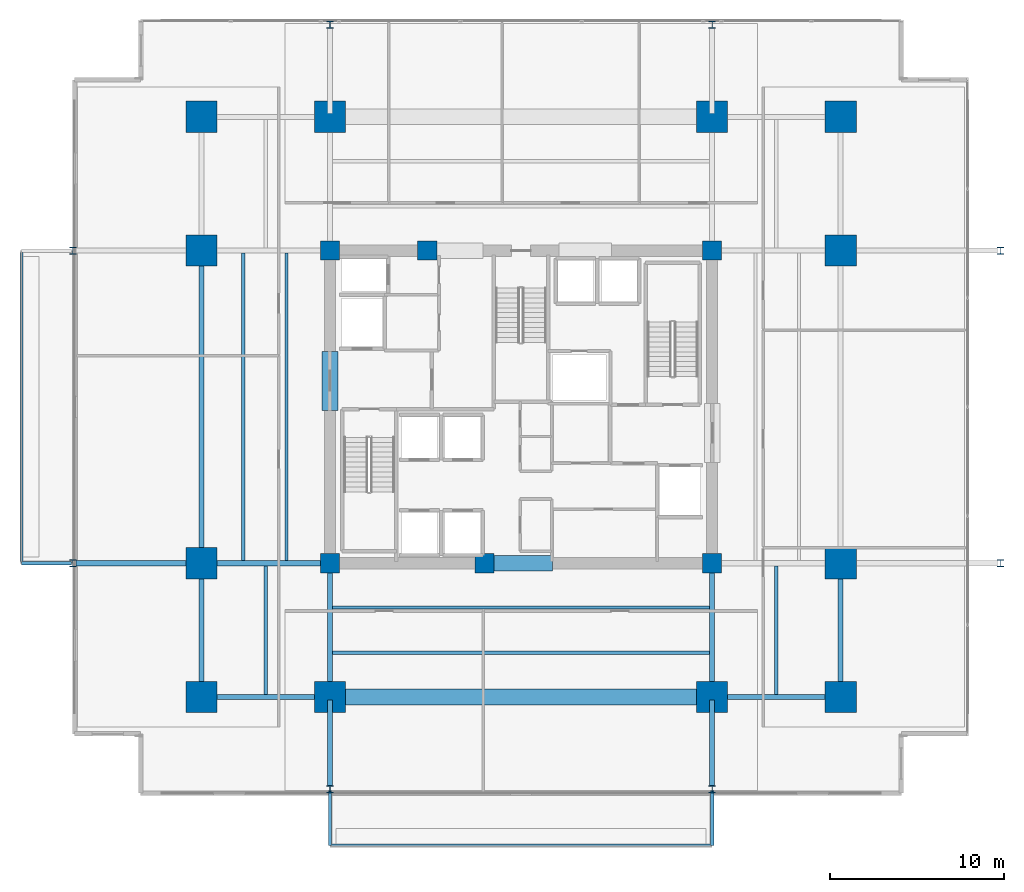
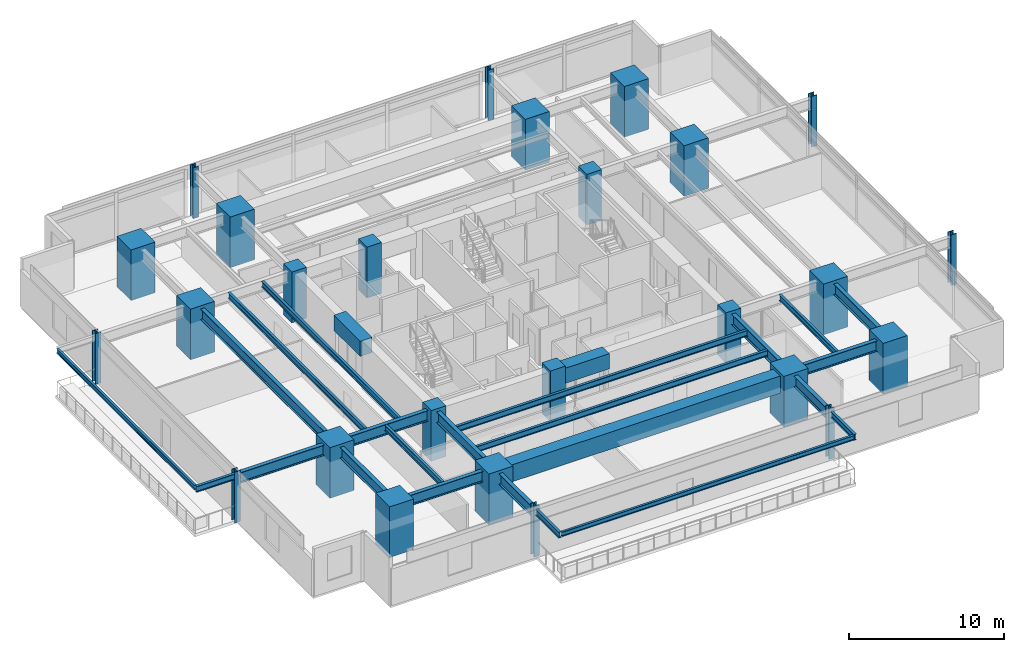
# One storey, part 1 of 23: 26 columns, 25 beams.
"""IFC4 building model written with IfcOpenShell, lengths in metres."""

from ifc_helpers import new_model, si_unit, direction, frame, origin, origin_2d, place, context, subcontext, project, spatial, rectangle, i_section, extrude, material, material_profile, profile_set, type_object, element, save


model = new_model("IFC4")

# Units and contexts
model_context = context("Model", 3, precision=1e-05, world=origin(), true_north=direction((0.0, 1.0)))
body_context = subcontext(model_context, "Body", "Model", "MODEL_VIEW")
ifc_project = project(units=[si_unit("LENGTHUNIT", "METRE"), si_unit("AREAUNIT", "SQUARE_METRE"), si_unit("VOLUMEUNIT", "CUBIC_METRE"), si_unit("PLANEANGLEUNIT", "RADIAN"), si_unit("MASSUNIT", "GRAM", prefix="KILO")], contexts=[model_context])

# Site, building, storey
site_placement = place(None, origin())
site = spatial("IfcSite", under=ifc_project, at=site_placement, CompositionType="ELEMENT")
building_placement = place(site_placement, origin())
building = spatial("IfcBuilding", under=site, at=building_placement, Name="Kovane Verandah Tower", CompositionType="ELEMENT")
storey_placement = place(building_placement, frame((0.0, 0.0, 55.60009765625)))
storey = spatial("IfcBuildingStorey", under=building, at=storey_placement, Name="L12", CompositionType="ELEMENT", Elevation=55.60009765625)

# Columns
ifc_material_1 = material(Name="Concrete C80/95", Category="concrete")
ifc_material_profile_1 = material_profile(ifc_material_1, rectangle(XDim=1.800048828125, YDim=1.800048828125, at=origin_2d()), Name="RC1800x1800")
ifc_profile_set_1 = profile_set([ifc_material_profile_1], Name="Concrete C80/95")
column_type_1 = type_object("IfcColumnType", Name="COL-RC1800", PredefinedType="COLUMN", material=ifc_profile_set_1)
for number, where, z_axis, x_axis, name in (
    (1, (29.0, 10.800048828125, 0.0), (0.0, 0.0, 1.0), (1.0, 0.0, 0.0), "L12 Tower Mega-Column MC-S1"),
    (2, (51.0, 10.800048828125, 0.0), (0.0, 0.0, 1.0), (1.0, 0.0, 0.0), "L12 Tower Mega-Column MC-S2"),
    (3, (29.0, 44.199951171875, 0.0), (0.0, 0.0, 1.0), (1.0, 0.0, 0.0), "L12 Tower Mega-Column MC-N1"),
    (4, (51.0, 44.199951171875, 0.0), (0.0, 0.0, 1.0), (1.0, 0.0, 0.0), "L12 Tower Mega-Column MC-N2"),
    (5, (21.60009765625, 18.5, 0.0), (0.0, 0.0, 1.0), (1.0, 0.0, 0.0), "L12 Tower Mega-Column MC-W1"),
    (6, (21.60009765625, 36.5, 0.0), (0.0, 0.0, 1.0), (1.0, 0.0, 0.0), "L12 Tower Mega-Column MC-W2"),
    (7, (58.39990234375, 18.5, 0.0), (0.0, 0.0, 1.0), (1.0, 0.0, 0.0), "L12 Tower Mega-Column MC-E1"),
    (8, (58.39990234375, 36.5, 0.0), (0.0, 0.0, 1.0), (1.0, 0.0, 0.0), "L12 Tower Mega-Column MC-E2"),
    (9, (21.60009765625, 10.800048828125, 0.0), (0.0, 0.0, 1.0), (1.0, 0.0, 0.0), "L12 Tower Mega-Column MC-SW"),
    (10, (58.39990234375, 10.800048828125, 0.0), (0.0, 0.0, 1.0), (1.0, 0.0, 0.0), "L12 Tower Mega-Column MC-SE"),
    (11, (21.60009765625, 44.199951171875, 0.0), (0.0, 0.0, 1.0), (1.0, 0.0, 0.0), "L12 Tower Mega-Column MC-NW"),
    (12, (58.39990234375, 44.199951171875, 0.0), (0.0, 0.0, 1.0), (1.0, 0.0, 0.0), "L12 Tower Mega-Column MC-NE"),
):
    element("IfcColumn", number, at=place(storey_placement, frame(where, z_axis=z_axis, x_axis=x_axis)), inside=storey, type_object=column_type_1, Name=name, PredefinedType="COLUMN", context=body_context, shape_type="SweptSolid", body=[
        extrude(rectangle(XDim=1.800048828125, YDim=1.800048828125, at=origin_2d()), origin(), (0.0, 0.0, 1.0), 4.0),
    ])
ifc_material_2 = material(Name="Steel S460", Category="steel")
ifc_material_profile_2 = material_profile(ifc_material_2, i_section(OverallWidth=0.412109375, OverallDepth=0.4365234375, WebThickness=0.035888671875, FlangeThickness=0.05810546875, FilletRadius=0.01513671875, at=origin_2d()), Name="UC356x406x467")
ifc_profile_set_2 = profile_set([ifc_material_profile_2], Name="Steel S460")
column_type_2 = type_object("IfcColumnType", Name="COL-UC467", PredefinedType="COLUMN", material=ifc_profile_set_2)
for number, where, z_axis, x_axis, name in (
    (13, (14.199951171875, 18.5, 0.0), (0.0, 0.0, 1.0), (1.0, 0.0, 0.0), "L12 Verandah Perimeter Column VC-W1"),
    (14, (14.199951171875, 36.5, 0.0), (0.0, 0.0, 1.0), (1.0, 0.0, 0.0), "L12 Verandah Perimeter Column VC-W2"),
    (15, (67.60009765625, 18.5, 0.0), (0.0, 0.0, 1.0), (1.0, 0.0, 0.0), "L12 Verandah Perimeter Column VC-E1"),
    (16, (67.60009765625, 36.5, 0.0), (0.0, 0.0, 1.0), (1.0, 0.0, 0.0), "L12 Verandah Perimeter Column VC-E2"),
    (17, (29.0, 5.5, 0.0), (0.0, 0.0, 1.0), (1.0, 0.0, 0.0), "L12 Verandah Perimeter Column VC-S1"),
    (18, (51.0, 5.5, 0.0), (0.0, 0.0, 1.0), (1.0, 0.0, 0.0), "L12 Verandah Perimeter Column VC-S2"),
    (19, (29.0, 49.5, 0.0), (0.0, 0.0, 1.0), (1.0, 0.0, 0.0), "L12 Verandah Perimeter Column VC-N1"),
    (20, (51.0, 49.5, 0.0), (0.0, 0.0, 1.0), (1.0, 0.0, 0.0), "L12 Verandah Perimeter Column VC-N2"),
):
    element("IfcColumn", number, at=place(storey_placement, frame(where, z_axis=z_axis, x_axis=x_axis)), inside=storey, type_object=column_type_2, Name=name, PredefinedType="COLUMN", context=body_context, shape_type="SweptSolid", body=[
        extrude(i_section(OverallWidth=0.412109375, OverallDepth=0.4365234375, WebThickness=0.035888671875, FlangeThickness=0.05810546875, FilletRadius=0.01513671875, at=origin_2d()), origin(), (0.0, 0.0, 1.0), 4.0),
    ])
ifc_material_profile_3 = material_profile(ifc_material_1, rectangle(XDim=1.10009765625, YDim=1.10009765625, at=origin_2d()), Name="RC1100x1100")
ifc_profile_set_3 = profile_set([ifc_material_profile_3], Name="Concrete C80/95")
column_type_3 = type_object("IfcColumnType", Name="PIL-RC1100", PredefinedType="PILASTER", material=ifc_profile_set_3)
for number, where, z_axis, x_axis, name in (
    (21, (29.0, 18.5, 0.0), (0.0, 0.0, 1.0), (1.0, 0.0, 0.0), "L12 Core Pilaster CP-SW"),
    (22, (51.0, 18.5, 0.0), (0.0, 0.0, 1.0), (1.0, 0.0, 0.0), "L12 Core Pilaster CP-SE"),
    (23, (29.0, 36.5, 0.0), (0.0, 0.0, 1.0), (1.0, 0.0, 0.0), "L12 Core Pilaster CP-NW"),
    (24, (51.0, 36.5, 0.0), (0.0, 0.0, 1.0), (1.0, 0.0, 0.0), "L12 Core Pilaster CP-NE"),
    (25, (37.89990234375, 18.5, 0.0), (0.0, 0.0, 1.0), (1.0, 0.0, 0.0), "L12 Core Pilaster CP-S"),
    (26, (34.60009765625, 36.5, 0.0), (0.0, 0.0, 1.0), (1.0, 0.0, 0.0), "L12 Core Pilaster CP-N"),
):
    element("IfcColumn", number, at=place(storey_placement, frame(where, z_axis=z_axis, x_axis=x_axis)), inside=storey, type_object=column_type_3, Name=name, PredefinedType="PILASTER", context=body_context, shape_type="SweptSolid", body=[
        extrude(rectangle(XDim=1.10009765625, YDim=1.10009765625, at=origin_2d()), origin(), (0.0, 0.0, 1.0), 4.0),
    ])

# Beams
ifc_material_profile_4 = material_profile(ifc_material_1, rectangle(XDim=0.89990234375, YDim=1.199951171875, at=origin_2d()), Name="RCB900x1200")
ifc_profile_set_4 = profile_set([ifc_material_profile_4], Name="Concrete C80/95")
beam_type_1 = type_object("IfcBeamType", Name="BM-LINTEL-900x1200", PredefinedType="LINTEL", material=ifc_profile_set_4)
beam_1_placement = place(storey_placement, frame((38.199951171875, 18.5, 3.159912109375), z_axis=(1.0, 0.0, 0.0), x_axis=(0.0, 1.0, 0.0)))
element("IfcBeam", 27, at=beam_1_placement, inside=storey, type_object=beam_type_1, Name="L12 Core Coupling Lintel CL-S", PredefinedType="LINTEL", context=body_context, shape_type="SweptSolid", body=[
    extrude(rectangle(XDim=0.89990234375, YDim=1.199951171875, at=origin_2d()), origin(), (0.0, 0.0, 1.0), 3.60009765625),
])
beam_2_placement = place(storey_placement, frame((29.0, 27.300048828125, 3.159912109375), z_axis=(0.0, 1.0, 0.0), x_axis=(-1.0, 0.0, 0.0)))
element("IfcBeam", 28, at=beam_2_placement, inside=storey, type_object=beam_type_1, Name="L12 Core Coupling Lintel CL-W", PredefinedType="LINTEL", context=body_context, shape_type="SweptSolid", body=[
    extrude(rectangle(XDim=0.89990234375, YDim=1.199951171875, at=origin_2d()), origin(), (0.0, 0.0, 1.0), 3.39990234375),
])
ifc_material_profile_5 = material_profile(ifc_material_1, rectangle(XDim=0.89990234375, YDim=1.35009765625, at=origin_2d()), Name="RCB900x1350")
ifc_profile_set_5 = profile_set([ifc_material_profile_5], Name="Concrete C80/95")
beam_type_2 = type_object("IfcBeamType", Name="BM-TR-900x1350", PredefinedType="BEAM", material=ifc_profile_set_5)
beam_3_placement = place(storey_placement, frame((29.179931640625, 10.800048828125, 3.0849609375), z_axis=(1.0, 0.0, 0.0), x_axis=(0.0, 1.0, 0.0)))
element("IfcBeam", 29, at=beam_3_placement, inside=storey, type_object=beam_type_2, Name="L12 Primary Tower Girder G-RS2", PredefinedType="BEAM", context=body_context, shape_type="SweptSolid", body=[
    extrude(rectangle(XDim=0.89990234375, YDim=1.35009765625, at=origin_2d()), origin(), (0.0, 0.0, 1.0), 21.64013671875),
])
ifc_material_3 = material(Name="Steel S355", Category="steel")
ifc_material_profile_6 = material_profile(ifc_material_3, i_section(OverallWidth=0.293701171875, OverallDepth=0.850830078125, WebThickness=0.01611328125, FlangeThickness=0.02685546875, FilletRadius=0.017822265625, at=origin_2d()), Name="UB838x292x226")
ifc_profile_set_6 = profile_set([ifc_material_profile_6], Name="Steel S355")
beam_type_3 = type_object("IfcBeamType", Name="BM-UB838x226", PredefinedType="BEAM", material=ifc_profile_set_6)
for number, where, z_axis, x_axis, name in (
    (30, (21.780029296875, 10.800048828125, 3.33447265625), (1.0, 0.0, 0.0), (0.0, 1.0, 0.0), "L12 Primary Tower Girder G-RS1"),
    (31, (51.179931640625, 10.800048828125, 3.33447265625), (1.0, 0.0, 0.0), (0.0, 1.0, 0.0), "L12 Primary Tower Girder G-RS3"),
):
    element("IfcBeam", number, at=place(storey_placement, frame(where, z_axis=z_axis, x_axis=x_axis)), inside=storey, type_object=beam_type_3, Name=name, PredefinedType="BEAM", context=body_context, shape_type="SweptSolid", body=[
        extrude(i_section(OverallWidth=0.293701171875, OverallDepth=0.850830078125, WebThickness=0.01611328125, FlangeThickness=0.02685546875, FilletRadius=0.017822265625, at=origin_2d()), origin(), (0.0, 0.0, 1.0), 7.0400390625),
    ])
beam_4_placement = place(storey_placement, frame((21.60009765625, 10.97998046875, 3.33447265625), z_axis=(0.0, 1.0, 0.0), x_axis=(-1.0, 0.0, 0.0)))
element("IfcBeam", 32, at=beam_4_placement, inside=storey, type_object=beam_type_3, Name="L12 Primary Tower Girder G-RW1", PredefinedType="BEAM", context=body_context, shape_type="SweptSolid", body=[
    extrude(i_section(OverallWidth=0.293701171875, OverallDepth=0.850830078125, WebThickness=0.01611328125, FlangeThickness=0.02685546875, FilletRadius=0.017822265625, at=origin_2d()), origin(), (0.0, 0.0, 1.0), 7.340087890625),
])
beam_5_placement = place(storey_placement, frame((21.60009765625, 18.679931640625, 3.33447265625), z_axis=(0.0, 1.0, 0.0), x_axis=(-1.0, 0.0, 0.0)))
element("IfcBeam", 33, at=beam_5_placement, inside=storey, type_object=beam_type_3, Name="L12 Primary Tower Girder G-RW2", PredefinedType="BEAM", context=body_context, shape_type="SweptSolid", body=[
    extrude(i_section(OverallWidth=0.293701171875, OverallDepth=0.850830078125, WebThickness=0.01611328125, FlangeThickness=0.02685546875, FilletRadius=0.017822265625, at=origin_2d()), origin(), (0.0, 0.0, 1.0), 17.64013671875),
])
beam_6_placement = place(storey_placement, frame((58.39990234375, 10.97998046875, 3.33447265625), z_axis=(0.0, 1.0, 0.0), x_axis=(-1.0, 0.0, 0.0)))
element("IfcBeam", 34, at=beam_6_placement, inside=storey, type_object=beam_type_3, Name="L12 Primary Tower Girder G-RE1", PredefinedType="BEAM", context=body_context, shape_type="SweptSolid", body=[
    extrude(i_section(OverallWidth=0.293701171875, OverallDepth=0.850830078125, WebThickness=0.01611328125, FlangeThickness=0.02685546875, FilletRadius=0.017822265625, at=origin_2d()), origin(), (0.0, 0.0, 1.0), 7.340087890625),
])
beam_7_placement = place(storey_placement, frame((28.820068359375, 18.5, 3.33447265625), z_axis=(-1.0, 0.0, 0.0), x_axis=(0.0, -1.0, 0.0)))
element("IfcBeam", 35, at=beam_7_placement, inside=storey, type_object=beam_type_3, Name="L12 Primary Tower Girder G-W1", PredefinedType="BEAM", context=body_context, shape_type="SweptSolid", body=[
    extrude(i_section(OverallWidth=0.293701171875, OverallDepth=0.850830078125, WebThickness=0.01611328125, FlangeThickness=0.02685546875, FilletRadius=0.017822265625, at=origin_2d()), origin(), (0.0, 0.0, 1.0), 7.0400390625),
])
for number, where, z_axis, x_axis, name in (
    (36, (29.0, 18.320068359375, 3.33447265625), (0.0, -1.0, 0.0), (1.0, 0.0, 0.0), "L12 Primary Tower Girder G-S1"),
    (37, (51.0, 18.320068359375, 3.33447265625), (0.0, -1.0, 0.0), (1.0, 0.0, 0.0), "L12 Primary Tower Girder G-S2"),
):
    element("IfcBeam", number, at=place(storey_placement, frame(where, z_axis=z_axis, x_axis=x_axis)), inside=storey, type_object=beam_type_3, Name=name, PredefinedType="BEAM", context=body_context, shape_type="SweptSolid", body=[
        extrude(i_section(OverallWidth=0.293701171875, OverallDepth=0.850830078125, WebThickness=0.01611328125, FlangeThickness=0.02685546875, FilletRadius=0.017822265625, at=origin_2d()), origin(), (0.0, 0.0, 1.0), 7.340087890625),
    ])
beam_8_placement = place(storey_placement, frame((21.419921875, 18.5, 3.33447265625), z_axis=(-1.0, 0.0, 0.0), x_axis=(0.0, -1.0, 0.0)))
element("IfcBeam", 38, at=beam_8_placement, inside=storey, type_object=beam_type_3, Name="L12 Primary Tower Girder G-VW1", PredefinedType="BEAM", context=body_context, shape_type="SweptSolid", body=[
    extrude(i_section(OverallWidth=0.293701171875, OverallDepth=0.850830078125, WebThickness=0.01611328125, FlangeThickness=0.02685546875, FilletRadius=0.017822265625, at=origin_2d()), origin(), (0.0, 0.0, 1.0), 7.0400390625),
])
for number, where, z_axis, x_axis, name in (
    (39, (29.0, 10.6201171875, 3.33447265625), (0.0, -1.0, 0.0), (1.0, 0.0, 0.0), "L12 Primary Tower Girder G-VS1"),
    (40, (51.0, 10.6201171875, 3.33447265625), (0.0, -1.0, 0.0), (1.0, 0.0, 0.0), "L12 Primary Tower Girder G-VS2"),
):
    element("IfcBeam", number, at=place(storey_placement, frame(where, z_axis=z_axis, x_axis=x_axis)), inside=storey, type_object=beam_type_3, Name=name, PredefinedType="BEAM", context=body_context, shape_type="SweptSolid", body=[
        extrude(i_section(OverallWidth=0.293701171875, OverallDepth=0.850830078125, WebThickness=0.01611328125, FlangeThickness=0.02685546875, FilletRadius=0.017822265625, at=origin_2d()), origin(), (0.0, 0.0, 1.0), 4.940185546875),
    ])
ifc_material_profile_7 = material_profile(ifc_material_3, i_section(OverallWidth=0.19287109375, OverallDepth=0.46728515625, WebThickness=0.011474609375, FlangeThickness=0.01953125, FilletRadius=0.01025390625, at=origin_2d()), Name="UB457x191x98")
ifc_profile_set_7 = profile_set([ifc_material_profile_7], Name="Steel S355")
beam_type_4 = type_object("IfcBeamType", Name="JST-UB457x98", PredefinedType="JOIST", material=ifc_profile_set_7)
for number, where, z_axis, x_axis, name in (
    (41, (29.14501953125, 13.35009765625, 3.5263671875), (1.0, 0.0, 0.0), (0.0, 1.0, 0.0), "L12 Secondary Composite Joist J-S1"),
    (42, (29.14501953125, 15.949951171875, 3.5263671875), (1.0, 0.0, 0.0), (0.0, 1.0, 0.0), "L12 Secondary Composite Joist J-S2"),
):
    element("IfcBeam", number, at=place(storey_placement, frame(where, z_axis=z_axis, x_axis=x_axis)), inside=storey, type_object=beam_type_4, Name=name, PredefinedType="JOIST", context=body_context, shape_type="SweptSolid", body=[
        extrude(i_section(OverallWidth=0.19287109375, OverallDepth=0.46728515625, WebThickness=0.011474609375, FlangeThickness=0.01953125, FilletRadius=0.01025390625, at=origin_2d()), origin(), (0.0, 0.0, 1.0), 21.7099609375),
    ])
for number, where, z_axis, x_axis, name in (
    (43, (24.0, 18.64501953125, 3.5263671875), (0.0, 1.0, 0.0), (-1.0, 0.0, 0.0), "L12 Secondary Composite Joist J-W1"),
    (44, (26.5, 18.64501953125, 3.5263671875), (0.0, 1.0, 0.0), (-1.0, 0.0, 0.0), "L12 Secondary Composite Joist J-W2"),
):
    element("IfcBeam", number, at=place(storey_placement, frame(where, z_axis=z_axis, x_axis=x_axis)), inside=storey, type_object=beam_type_4, Name=name, PredefinedType="JOIST", context=body_context, shape_type="SweptSolid", body=[
        extrude(i_section(OverallWidth=0.19287109375, OverallDepth=0.46728515625, WebThickness=0.011474609375, FlangeThickness=0.01953125, FilletRadius=0.01025390625, at=origin_2d()), origin(), (0.0, 0.0, 1.0), 17.7099609375),
    ])
for number, where, z_axis, x_axis, name in (
    (45, (25.300048828125, 10.94482421875, 3.5263671875), (0.0, 1.0, 0.0), (-1.0, 0.0, 0.0), "L12 Secondary Composite Joist J-SW1"),
    (46, (54.699951171875, 10.94482421875, 3.5263671875), (0.0, 1.0, 0.0), (-1.0, 0.0, 0.0), "L12 Secondary Composite Joist J-SE1"),
):
    element("IfcBeam", number, at=place(storey_placement, frame(where, z_axis=z_axis, x_axis=x_axis)), inside=storey, type_object=beam_type_4, Name=name, PredefinedType="JOIST", context=body_context, shape_type="SweptSolid", body=[
        extrude(i_section(OverallWidth=0.19287109375, OverallDepth=0.46728515625, WebThickness=0.011474609375, FlangeThickness=0.01953125, FilletRadius=0.01025390625, at=origin_2d()), origin(), (0.0, 0.0, 1.0), 7.41015625),
    ])
for number, where, z_axis, x_axis, name in (
    (47, (29.0, 5.419921875, 3.5263671875), (0.0, -1.0, 0.0), (1.0, 0.0, 0.0), "L12 South Planter Girder 1"),
    (48, (51.0, 5.419921875, 3.5263671875), (0.0, -1.0, 0.0), (1.0, 0.0, 0.0), "L12 South Planter Girder 2"),
):
    element("IfcBeam", number, at=place(storey_placement, frame(where, z_axis=z_axis, x_axis=x_axis)), inside=storey, type_object=beam_type_4, Name=name, PredefinedType="JOIST", context=body_context, shape_type="SweptSolid", body=[
        extrude(i_section(OverallWidth=0.19287109375, OverallDepth=0.46728515625, WebThickness=0.011474609375, FlangeThickness=0.01953125, FilletRadius=0.01025390625, at=origin_2d()), origin(), (0.0, 0.0, 1.0), 3.173583984375),
    ])
beam_9_placement = place(storey_placement, frame((14.1201171875, 18.5, 3.5263671875), z_axis=(-1.0, 0.0, 0.0), x_axis=(0.0, -1.0, 0.0)))
element("IfcBeam", 49, at=beam_9_placement, inside=storey, type_object=beam_type_4, Name="L12 West Planter Girder 1", PredefinedType="JOIST", context=body_context, shape_type="SweptSolid", body=[
    extrude(i_section(OverallWidth=0.19287109375, OverallDepth=0.46728515625, WebThickness=0.011474609375, FlangeThickness=0.01953125, FilletRadius=0.01025390625, at=origin_2d()), origin(), (0.0, 0.0, 1.0), 2.875244140625),
])
ifc_material_profile_8 = material_profile(ifc_material_3, i_section(OverallWidth=0.173095703125, OverallDepth=0.36328125, WebThickness=0.009033203125, FlangeThickness=0.015625, FilletRadius=0.01025390625, at=origin_2d()), Name="UB356x171x67")
ifc_profile_set_8 = profile_set([ifc_material_profile_8], Name="Steel S355")
beam_type_5 = type_object("IfcBeamType", Name="SPD-UB356x67", PredefinedType="USERDEFINED", material=ifc_profile_set_8)
beam_10_placement = place(storey_placement, frame((29.094482421875, 2.246337890625, 3.578125), z_axis=(1.0, 0.0, 0.0), x_axis=(0.0, 1.0, 0.0)))
element("IfcBeam", 50, at=beam_10_placement, inside=storey, type_object=beam_type_5, Name="L12 South Planter Edge Spandrel", ObjectType="SPANDREL", PredefinedType="USERDEFINED", context=body_context, shape_type="SweptSolid", body=[
    extrude(i_section(OverallWidth=0.173095703125, OverallDepth=0.36328125, WebThickness=0.009033203125, FlangeThickness=0.015625, FilletRadius=0.01025390625, at=origin_2d()), origin(), (0.0, 0.0, 1.0), 21.81103515625),
])
beam_11_placement = place(storey_placement, frame((11.244873046875, 18.594482421875, 3.578125), z_axis=(0.0, 1.0, 0.0), x_axis=(-1.0, 0.0, 0.0)))
element("IfcBeam", 51, at=beam_11_placement, inside=storey, type_object=beam_type_5, Name="L12 West Planter Edge Spandrel", ObjectType="SPANDREL", PredefinedType="USERDEFINED", context=body_context, shape_type="SweptSolid", body=[
    extrude(i_section(OverallWidth=0.173095703125, OverallDepth=0.36328125, WebThickness=0.009033203125, FlangeThickness=0.015625, FilletRadius=0.01025390625, at=origin_2d()), origin(), (0.0, 0.0, 1.0), 17.81103515625),
])

save(model, "model.ifc")
